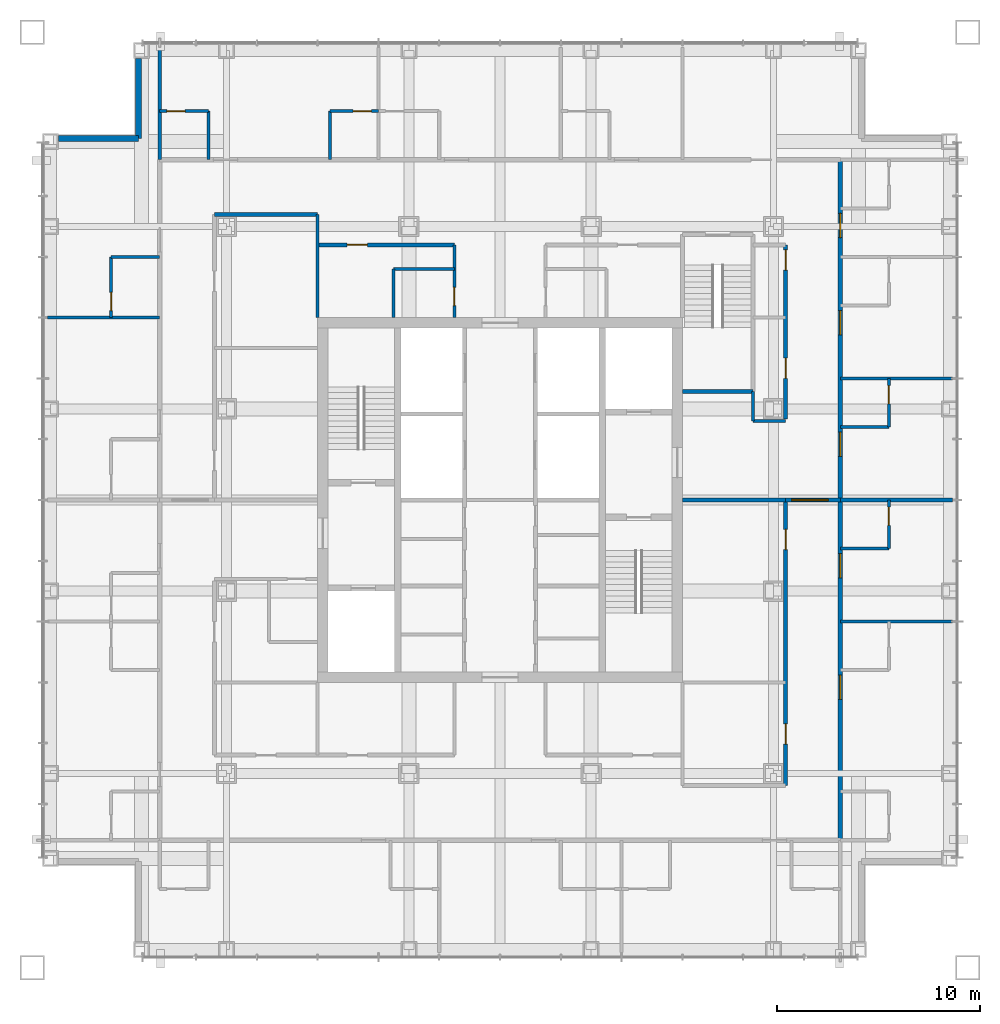
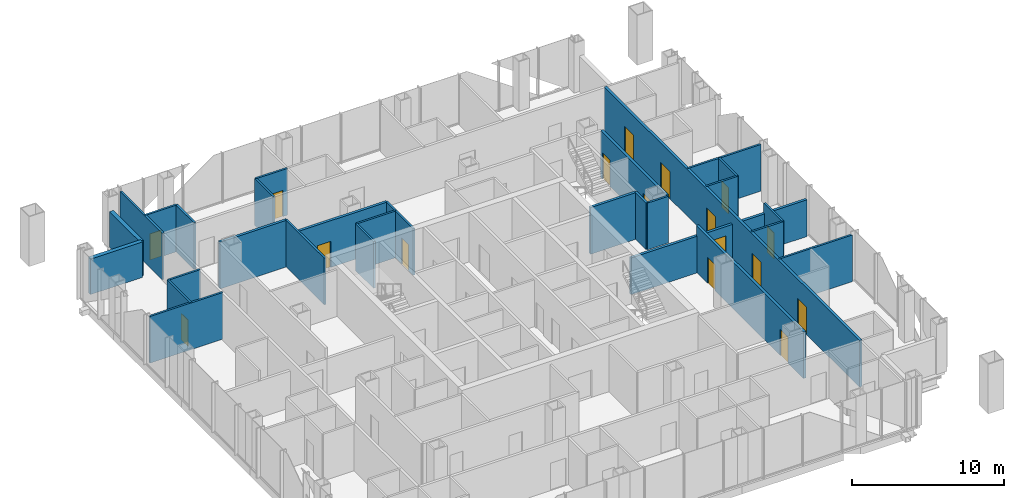
# One storey, part 9 of 15: 31 walls, 17 doors, 17 openings.
"""IFC4 building model written with IfcOpenShell, lengths in metres."""

import ifcopenshell
import ifcopenshell.guid

model = None  # the IFC model being written
_history = None  # IfcOwnerHistory: only IFC2X3 demands one
_inside = {}  # id of a spatial element -> (the spatial element, [elements in it])
_under = {}  # id of a project, library or spatial element -> (it, [spatial elements below it])
_declared = {}  # id of a project -> (the project, [libraries it declares])
_typed = {}  # id of a type object -> (the type object, [elements of that type])
_made_of = {}  # id of a material, layer set ... -> (it, [elements and type objects made of it])


def new_model(schema):
    """Start an empty IFC model of exactly this schema.

    Asked for "IFC4X3", IfcOpenShell would pick the latest addendum, in which some entities
    have other attributes; the version numbers below select the first issue.
    IFC2X3 requires an IfcOwnerHistory on every rooted entity: one is made here for all.
    """
    global model, _history
    if schema == "IFC4X3":
        model = ifcopenshell.file(schema_version=(4, 3, 0, 0))
    else:
        model = ifcopenshell.file(schema=schema)
    _inside.clear()
    _under.clear()
    _declared.clear()
    _typed.clear()
    _made_of.clear()
    _history = None
    if model.schema == "IFC2X3":
        org = make("IfcOrganization", Name="unknown")
        user = make(
            "IfcPersonAndOrganization",
            ThePerson=make("IfcPerson", FamilyName="unknown"),
            TheOrganization=org,
        )
        app = make(
            "IfcApplication",
            ApplicationDeveloper=org,
            Version="unknown",
            ApplicationFullName="unknown",
            ApplicationIdentifier="unknown",
        )
        _history = make(
            "IfcOwnerHistory",
            OwningUser=user,
            OwningApplication=app,
            ChangeAction="ADDED",
            CreationDate=0,
        )
    return model


def make(cls, **values):
    """One entity of the class cls with the attributes given. An attribute that is None is left unset."""
    return model.create_entity(
        cls, **{name: value for name, value in values.items() if value is not None}
    )


def rooted(cls, **values):
    """An entity with a GlobalId (a new one), such as an element, a storey or a relation."""
    return make(cls, GlobalId=ifcopenshell.guid.new(), OwnerHistory=_history, **values)


def si_unit(unit_type, name, prefix=None):
    """IfcSIUnit, for example si_unit("LENGTHUNIT", "METRE", prefix="MILLI")."""
    return make("IfcSIUnit", UnitType=unit_type, Prefix=prefix, Name=name)


def assignment(units):
    """IfcUnitAssignment: the units of a project."""
    return None if units is None else make("IfcUnitAssignment", Units=units)


def point(xyz):
    """IfcCartesianPoint."""
    return None if xyz is None else make("IfcCartesianPoint", Coordinates=xyz)


def direction(xyz):
    """IfcDirection."""
    return None if xyz is None else make("IfcDirection", DirectionRatios=xyz)


def frame(location, z_axis=None, x_axis=None):
    """IfcAxis2Placement3D, a coordinate frame: its origin and axes. An axis left out is left unset."""
    return make(
        "IfcAxis2Placement3D",
        Location=point(location),
        Axis=direction(z_axis),
        RefDirection=direction(x_axis),
    )


def frame_2d(location, x_axis=None):
    """IfcAxis2Placement2D, a coordinate frame in the plane: its origin and x axis."""
    return make(
        "IfcAxis2Placement2D", Location=point(location), RefDirection=direction(x_axis)
    )


def origin():
    """The frame at (0, 0, 0) with its axes left unset."""
    return frame((0.0, 0.0, 0.0))


def place(relative_to, where):
    """IfcLocalPlacement: puts the frame where relative to a parent placement (None: the world)."""
    return make(
        "IfcLocalPlacement", PlacementRelTo=relative_to, RelativePlacement=where
    )


def context(
    kind, dimensions, precision=None, world=None, true_north=None, identifier=None
):
    """IfcGeometricRepresentationContext, for example the 3D "Model" context."""
    return make(
        "IfcGeometricRepresentationContext",
        ContextIdentifier=identifier,
        ContextType=kind,
        CoordinateSpaceDimension=dimensions,
        Precision=precision,
        WorldCoordinateSystem=world,
        TrueNorth=true_north,
    )


def subcontext(parent, identifier, kind, view, scale=None):
    """IfcGeometricRepresentationSubContext, for example "Body" below "Model"."""
    return make(
        "IfcGeometricRepresentationSubContext",
        ContextIdentifier=identifier,
        ContextType=kind,
        ParentContext=parent,
        TargetScale=scale,
        TargetView=view,
    )


def project(units=None, contexts=None):
    """IfcProject with its units and contexts."""
    return rooted(
        "IfcProject",
        Name="project",
        RepresentationContexts=contexts,
        UnitsInContext=assignment(units),
    )


def spatial(cls, under=None, at=None, **own):
    """A site, building, storey or space (cls), placed at a placement, below another one or the project."""
    s = rooted(cls, ObjectPlacement=at, **own)
    if under is not None:
        _under.setdefault(under.id(), (under, []))[1].append(s)
    return s


def profile(cls, at=None, kind="AREA", **sizes):
    """A parametric profile (cls). Its sizes go by their IFC names, for example OverallWidth=200.0."""
    return make(cls, ProfileType=kind, Position=at, **sizes)


def rectangle(**sizes):
    """IfcRectangleProfileDef."""
    return profile("IfcRectangleProfileDef", **sizes)


def extrude(swept, where, along, depth):
    """IfcExtrudedAreaSolid: the profile swept, set in the frame where, extruded along a direction by depth."""
    return make(
        "IfcExtrudedAreaSolid",
        SweptArea=swept,
        Position=where,
        ExtrudedDirection=direction(along),
        Depth=depth,
    )


def shape(context_of_items, identifier, shape_type, items):
    """IfcShapeRepresentation: the items that make up one representation, for example the "Body"."""
    return make(
        "IfcShapeRepresentation",
        ContextOfItems=context_of_items,
        RepresentationIdentifier=identifier,
        RepresentationType=shape_type,
        Items=items,
    )


def material(Name=None, Category=None):
    """IfcMaterial."""
    return make("IfcMaterial", Name=Name, Category=Category)


def layer(
    of_material, thickness, ventilated=None, Name=None, Category=None, Priority=None
):
    """IfcMaterialLayer: one layer of a wall or slab, of a material (None: an air gap)."""
    return make(
        "IfcMaterialLayer",
        Material=of_material,
        LayerThickness=thickness,
        IsVentilated=ventilated,
        Name=Name,
        Category=Category,
        Priority=Priority,
    )


def layer_set(layers, Name=None):
    """IfcMaterialLayerSet."""
    return make("IfcMaterialLayerSet", MaterialLayers=layers, LayerSetName=Name)


def made_of(thing, what):
    """Note that an element or type object is made of a material, layer set ...; save() writes the relation."""
    if what is not None:
        _made_of.setdefault(what.id(), (what, []))[1].append(thing)
    return thing


def type_object(cls, material=None, **own):
    """A type object (cls), such as IfcWallType, which elements share."""
    return made_of(rooted(cls, **own), material)


def element(
    cls,
    number,
    at=None,
    inside=None,
    cuts=None,
    type_object=None,
    material=None,
    context=None,
    identifier="Body",
    shape_type=None,
    held_by="IfcProductDefinitionShape",
    body=None,
    shapes=None,
    **own,
):
    """One element of the class cls, such as IfcWall. Its Tag is "e" and its number.

    at: its placement. inside: the storey or other place that contains it. cuts: it is an
    opening in that element (IfcRelVoidsElement). A single representation is given by context,
    identifier, shape_type and body (its items); several are given by shapes. held_by: the class
    of the entity that holds the representations. save() writes the other relations.
    """
    e = rooted(cls, Tag="e%d" % number, ObjectPlacement=at, **own)
    if body is not None:
        shapes = [shape(context, identifier, shape_type, body)]
    if shapes is not None:
        e.Representation = make(held_by, Representations=shapes)
    if inside is not None:
        _inside.setdefault(inside.id(), (inside, []))[1].append(e)
    if cuts is not None:
        rooted(
            "IfcRelVoidsElement", RelatingBuildingElement=cuts, RelatedOpeningElement=e
        )
    if type_object is not None:
        _typed.setdefault(type_object.id(), (type_object, []))[1].append(e)
    return made_of(e, material)


def fill(opening, filler):
    """IfcRelFillsElement: the door or window that sits in an opening."""
    return rooted(
        "IfcRelFillsElement",
        RelatingOpeningElement=opening,
        RelatedBuildingElement=filler,
    )


def aggregate(whole, parts):
    """IfcRelAggregates: a whole, such as a stair, and the parts it consists of."""
    return rooted("IfcRelAggregates", RelatingObject=whole, RelatedObjects=parts)


def save(model, path):
    """Write the relations noted so far, then the file.

    IfcRelAggregates (storeys below a building ...), IfcRelContainedInSpatialStructure (elements
    in a storey), IfcRelDefinesByType, IfcRelAssociatesMaterial and IfcRelDeclares: one each for
    every whole, place, type object, material and project.
    """
    for whole, parts in _under.values():
        aggregate(whole, parts)
    for where, things in _inside.values():
        rooted(
            "IfcRelContainedInSpatialStructure",
            RelatedElements=things,
            RelatingStructure=where,
        )
    for kind, things in _typed.values():
        rooted("IfcRelDefinesByType", RelatedObjects=things, RelatingType=kind)
    for what, things in _made_of.values():
        rooted("IfcRelAssociatesMaterial", RelatedObjects=things, RelatingMaterial=what)
    for by, libraries in _declared.values():
        rooted("IfcRelDeclares", RelatingContext=by, RelatedDefinitions=libraries)
    model.write(path)


model = new_model("IFC4")

# Units and contexts
model_context = context("Model", 3, precision=1e-05, world=origin(), true_north=direction((0.0, 1.0)))
body_context = subcontext(model_context, "Body", "Model", "MODEL_VIEW")
ifc_project = project(units=[si_unit("LENGTHUNIT", "METRE"), si_unit("AREAUNIT", "SQUARE_METRE"), si_unit("VOLUMEUNIT", "CUBIC_METRE"), si_unit("PLANEANGLEUNIT", "RADIAN"), si_unit("MASSUNIT", "GRAM", prefix="KILO")], contexts=[model_context])

# Site, building, storey
site_placement = place(None, origin())
site = spatial("IfcSite", under=ifc_project, at=site_placement, CompositionType="ELEMENT")
building_placement = place(site_placement, origin())
building = spatial("IfcBuilding", under=site, at=building_placement, Name="Malebo Sky Hospital", CompositionType="ELEMENT")
storey_placement = place(building_placement, frame((0.0, 0.0, 181.0)))
storey = spatial("IfcBuildingStorey", under=building, at=storey_placement, Name="L43", CompositionType="ELEMENT", Elevation=181.0)

# Wall
ifc_material_1 = material(Name="Gypsum board on steel studs", Category="steel")
ifc_layer_1 = layer(ifc_material_1, 0.199951171875)
ifc_layer_set_1 = layer_set([ifc_layer_1], Name="CORRIDOR WALL 200")
wall_type_1 = type_object("IfcWallType", Name="CORRIDOR WALL 200", PredefinedType="PARTITIONING", material=ifc_layer_set_1)
wall_1_placement = place(storey_placement, frame((45.89990234375, 76.10009765625, 0.0), z_axis=(0.0, 0.0, 1.0), x_axis=(1.0, 0.0, 0.0)))
element("IfcWall", 1, at=wall_1_placement, inside=storey, type_object=wall_type_1, Name="Corridor Wall 200 NCIK", PredefinedType="PARTITIONING", context=body_context, shape_type="SweptSolid", body=[
    extrude(rectangle(XDim=5.10009765625, YDim=0.199951171875, at=frame_2d((2.550048828125, 0.0))), origin(), (0.0, 0.0, 1.0), 3.75),
])

# Wall, opening, door
wall_2_placement = place(storey_placement, frame((51.0, 74.60009765625, 0.0), z_axis=(0.0, 0.0, 1.0), x_axis=(1.0, 0.0, 0.0)))
wall_2 = element("IfcWall", 2, at=wall_2_placement, inside=storey, type_object=wall_type_1, Name="Corridor Wall 200 NCI1", PredefinedType="PARTITIONING", context=body_context, shape_type="SweptSolid", body=[
    extrude(rectangle(XDim=6.75, YDim=0.199951171875, at=frame_2d((3.375, 0.0))), origin(), (0.0, 0.0, 1.0), 3.75),
])
opening_1_placement = place(wall_2_placement, frame((1.449951171875, 0.0, 0.0)))
opening_1 = element("IfcOpeningElement", 3, at=opening_1_placement, cuts=wall_2, Name="Opening D03", PredefinedType="OPENING", context=body_context, shape_type="SweptSolid", body=[
    extrude(rectangle(XDim=1.0, YDim=2.10009765625, at=frame_2d((0.5, 1.050048828125))), frame((0.0, 0.10986328125, 0.0), z_axis=(0.0, -1.0, 0.0), x_axis=(1.0, 0.0, 0.0)), (0.0, 0.0, 1.0), 0.219970703125),
])
ifc_material_2 = material(Name="Hardwood-faced door leaf in steel frame", Category="steel")
door_type_1 = type_object("IfcDoorType", Name="ROOM DOOR 1000", OperationType="SINGLE_SWING_LEFT", PredefinedType="DOOR", material=ifc_material_2)
door_1_placement = place(opening_1_placement, origin())
door_1 = element("IfcDoor", 4, at=door_1_placement, inside=storey, type_object=door_type_1, Name="Clean utility room door", OperationType="SINGLE_SWING_LEFT", OverallHeight=2.10009765625, OverallWidth=1.0, PredefinedType="DOOR", context=body_context, shape_type="SweptSolid", body=[
    extrude(rectangle(XDim=1.0, YDim=2.10009765625, at=frame_2d((0.5, 1.050048828125))), frame((0.0, 0.02490234375, 0.0), z_axis=(0.0, -1.0, 0.0), x_axis=(1.0, 0.0, 0.0)), (0.0, 0.0, 1.0), 0.050048828125),
])
fill(opening_1, door_1)

# Wall, openings, doors
wall_3_placement = place(storey_placement, frame((76.800048828125, 78.800048828125, 0.0), z_axis=(0.0, 0.0, 1.0), x_axis=(0.0, -1.0, 0.0)))
wall_3 = element("IfcWall", 5, at=wall_3_placement, inside=storey, type_object=wall_type_1, Name="Corridor Wall 200 ECO", PredefinedType="PARTITIONING", context=body_context, shape_type="SweptSolid", body=[
    extrude(rectangle(XDim=33.60009765625, YDim=0.199951171875, at=frame_2d((16.800048828125, 0.0))), origin(), (0.0, 0.0, 1.0), 3.75),
])
opening_2_placement = place(wall_3_placement, frame((2.64990234375, 0.0, 0.0)))
opening_2 = element("IfcOpeningElement", 6, at=opening_2_placement, cuts=wall_3, Name="Opening D01", PredefinedType="OPENING", context=body_context, shape_type="SweptSolid", body=[
    extrude(rectangle(XDim=1.199951171875, YDim=2.199951171875, at=frame_2d((0.60009765625, 1.10009765625))), frame((0.0, 0.10986328125, 0.0), z_axis=(0.0, -1.0, 0.0), x_axis=(1.0, 0.0, 0.0)), (0.0, 0.0, 1.0), 0.219970703125),
])
opening_3_placement = place(wall_3_placement, frame((7.449951171875, 0.0, 0.0)))
opening_3 = element("IfcOpeningElement", 7, at=opening_3_placement, cuts=wall_3, Name="Opening D01", PredefinedType="OPENING", context=body_context, shape_type="SweptSolid", body=[
    extrude(rectangle(XDim=1.199951171875, YDim=2.199951171875, at=frame_2d((0.60009765625, 1.10009765625))), frame((0.0, 0.10986328125, 0.0), z_axis=(0.0, -1.0, 0.0), x_axis=(1.0, 0.0, 0.0)), (0.0, 0.0, 1.0), 0.219970703125),
])
opening_4_placement = place(wall_3_placement, frame((13.449951171875, 0.0, 0.0)))
opening_4 = element("IfcOpeningElement", 8, at=opening_4_placement, cuts=wall_3, Name="Opening D01", PredefinedType="OPENING", context=body_context, shape_type="SweptSolid", body=[
    extrude(rectangle(XDim=1.199951171875, YDim=2.199951171875, at=frame_2d((0.60009765625, 1.10009765625))), frame((0.0, 0.10986328125, 0.0), z_axis=(0.0, -1.0, 0.0), x_axis=(1.0, 0.0, 0.0)), (0.0, 0.0, 1.0), 0.219970703125),
])
opening_5_placement = place(wall_3_placement, frame((19.449951171875, 0.0, 0.0)))
opening_5 = element("IfcOpeningElement", 9, at=opening_5_placement, cuts=wall_3, Name="Opening D01", PredefinedType="OPENING", context=body_context, shape_type="SweptSolid", body=[
    extrude(rectangle(XDim=1.199951171875, YDim=2.199951171875, at=frame_2d((0.60009765625, 1.10009765625))), frame((0.0, 0.10986328125, 0.0), z_axis=(0.0, -1.0, 0.0), x_axis=(1.0, 0.0, 0.0)), (0.0, 0.0, 1.0), 0.219970703125),
])
opening_6_placement = place(wall_3_placement, frame((25.449951171875, 0.0, 0.0)))
opening_6 = element("IfcOpeningElement", 10, at=opening_6_placement, cuts=wall_3, Name="Opening D01", PredefinedType="OPENING", context=body_context, shape_type="SweptSolid", body=[
    extrude(rectangle(XDim=1.199951171875, YDim=2.199951171875, at=frame_2d((0.60009765625, 1.10009765625))), frame((0.0, 0.10986328125, 0.0), z_axis=(0.0, -1.0, 0.0), x_axis=(1.0, 0.0, 0.0)), (0.0, 0.0, 1.0), 0.219970703125),
])
door_type_2 = type_object("IfcDoorType", Name="BED DOOR 1200", OperationType="SINGLE_SWING_LEFT", PredefinedType="DOOR", material=ifc_material_2)
door_2_placement = place(opening_2_placement, origin())
door_2 = element("IfcDoor", 11, at=door_2_placement, inside=storey, type_object=door_type_2, Name="Single bed room door", OperationType="SINGLE_SWING_LEFT", OverallHeight=2.199951171875, OverallWidth=1.199951171875, PredefinedType="DOOR", context=body_context, shape_type="SweptSolid", body=[
    extrude(rectangle(XDim=1.199951171875, YDim=2.199951171875, at=frame_2d((0.60009765625, 1.10009765625))), frame((0.0, 0.02490234375, 0.0), z_axis=(0.0, -1.0, 0.0), x_axis=(1.0, 0.0, 0.0)), (0.0, 0.0, 1.0), 0.050048828125),
])
fill(opening_2, door_2)
door_3_placement = place(opening_3_placement, origin())
door_3 = element("IfcDoor", 12, at=door_3_placement, inside=storey, type_object=door_type_2, Name="Single bed room door", OperationType="SINGLE_SWING_LEFT", OverallHeight=2.199951171875, OverallWidth=1.199951171875, PredefinedType="DOOR", context=body_context, shape_type="SweptSolid", body=[
    extrude(rectangle(XDim=1.199951171875, YDim=2.199951171875, at=frame_2d((0.60009765625, 1.10009765625))), frame((0.0, 0.02490234375, 0.0), z_axis=(0.0, -1.0, 0.0), x_axis=(1.0, 0.0, 0.0)), (0.0, 0.0, 1.0), 0.050048828125),
])
fill(opening_3, door_3)
door_4_placement = place(opening_4_placement, origin())
door_4 = element("IfcDoor", 13, at=door_4_placement, inside=storey, type_object=door_type_2, Name="Single bed room door", OperationType="SINGLE_SWING_LEFT", OverallHeight=2.199951171875, OverallWidth=1.199951171875, PredefinedType="DOOR", context=body_context, shape_type="SweptSolid", body=[
    extrude(rectangle(XDim=1.199951171875, YDim=2.199951171875, at=frame_2d((0.60009765625, 1.10009765625))), frame((0.0, 0.02490234375, 0.0), z_axis=(0.0, -1.0, 0.0), x_axis=(1.0, 0.0, 0.0)), (0.0, 0.0, 1.0), 0.050048828125),
])
fill(opening_4, door_4)
door_5_placement = place(opening_5_placement, origin())
door_5 = element("IfcDoor", 14, at=door_5_placement, inside=storey, type_object=door_type_2, Name="Single bed room door", OperationType="SINGLE_SWING_LEFT", OverallHeight=2.199951171875, OverallWidth=1.199951171875, PredefinedType="DOOR", context=body_context, shape_type="SweptSolid", body=[
    extrude(rectangle(XDim=1.199951171875, YDim=2.199951171875, at=frame_2d((0.60009765625, 1.10009765625))), frame((0.0, 0.02490234375, 0.0), z_axis=(0.0, -1.0, 0.0), x_axis=(1.0, 0.0, 0.0)), (0.0, 0.0, 1.0), 0.050048828125),
])
fill(opening_5, door_5)
door_6_placement = place(opening_6_placement, origin())
door_6 = element("IfcDoor", 15, at=door_6_placement, inside=storey, type_object=door_type_2, Name="Four-bed bay door", OperationType="SINGLE_SWING_LEFT", OverallHeight=2.199951171875, OverallWidth=1.199951171875, PredefinedType="DOOR", context=body_context, shape_type="SweptSolid", body=[
    extrude(rectangle(XDim=1.199951171875, YDim=2.199951171875, at=frame_2d((0.60009765625, 1.10009765625))), frame((0.0, 0.02490234375, 0.0), z_axis=(0.0, -1.0, 0.0), x_axis=(1.0, 0.0, 0.0)), (0.0, 0.0, 1.0), 0.050048828125),
])
fill(opening_6, door_6)

wall_4_placement = place(storey_placement, frame((74.10009765625, 74.60009765625, 0.0), z_axis=(0.0, 0.0, 1.0), x_axis=(0.0, -1.0, 0.0)))
wall_4 = element("IfcWall", 16, at=wall_4_placement, inside=storey, type_object=wall_type_1, Name="Corridor Wall 200 ECI1", PredefinedType="PARTITIONING", context=body_context, shape_type="SweptSolid", body=[
    extrude(rectangle(XDim=8.60009765625, YDim=0.199951171875, at=frame_2d((4.300048828125, 0.0))), origin(), (0.0, 0.0, 1.0), 3.75),
])
opening_7_placement = place(wall_4_placement, frame((0.25, 0.0, 0.0)))
opening_7 = element("IfcOpeningElement", 17, at=opening_7_placement, cuts=wall_4, Name="Opening D03", PredefinedType="OPENING", context=body_context, shape_type="SweptSolid", body=[
    extrude(rectangle(XDim=1.0, YDim=2.10009765625, at=frame_2d((0.5, 1.050048828125))), frame((0.0, 0.10986328125, 0.0), z_axis=(0.0, -1.0, 0.0), x_axis=(1.0, 0.0, 0.0)), (0.0, 0.0, 1.0), 0.219970703125),
])
opening_8_placement = place(wall_4_placement, frame((5.60009765625, 0.0, 0.0)))
opening_8 = element("IfcOpeningElement", 18, at=opening_8_placement, cuts=wall_4, Name="Opening D03", PredefinedType="OPENING", context=body_context, shape_type="SweptSolid", body=[
    extrude(rectangle(XDim=1.0, YDim=2.10009765625, at=frame_2d((0.5, 1.050048828125))), frame((0.0, 0.10986328125, 0.0), z_axis=(0.0, -1.0, 0.0), x_axis=(1.0, 0.0, 0.0)), (0.0, 0.0, 1.0), 0.219970703125),
])
door_7_placement = place(opening_7_placement, origin())
door_7 = element("IfcDoor", 19, at=door_7_placement, inside=storey, type_object=door_type_1, Name="Ward pantry door", OperationType="SINGLE_SWING_LEFT", OverallHeight=2.10009765625, OverallWidth=1.0, PredefinedType="DOOR", context=body_context, shape_type="SweptSolid", body=[
    extrude(rectangle(XDim=1.0, YDim=2.10009765625, at=frame_2d((0.5, 1.050048828125))), frame((0.0, 0.02490234375, 0.0), z_axis=(0.0, -1.0, 0.0), x_axis=(1.0, 0.0, 0.0)), (0.0, 0.0, 1.0), 0.050048828125),
])
fill(opening_7, door_7)
door_8_placement = place(opening_8_placement, origin())
door_8 = element("IfcDoor", 20, at=door_8_placement, inside=storey, type_object=door_type_1, Name="Equipment store door", OperationType="SINGLE_SWING_LEFT", OverallHeight=2.10009765625, OverallWidth=1.0, PredefinedType="DOOR", context=body_context, shape_type="SweptSolid", body=[
    extrude(rectangle(XDim=1.0, YDim=2.10009765625, at=frame_2d((0.5, 1.050048828125))), frame((0.0, 0.02490234375, 0.0), z_axis=(0.0, -1.0, 0.0), x_axis=(1.0, 0.0, 0.0)), (0.0, 0.0, 1.0), 0.050048828125),
])
fill(opening_8, door_8)

wall_5_placement = place(storey_placement, frame((74.10009765625, 62.0, 0.0), z_axis=(0.0, 0.0, 1.0), x_axis=(0.0, -1.0, 0.0)))
wall_5 = element("IfcWall", 21, at=wall_5_placement, inside=storey, type_object=wall_type_1, Name="Corridor Wall 200 ECI2", PredefinedType="PARTITIONING", context=body_context, shape_type="SweptSolid", body=[
    extrude(rectangle(XDim=14.10009765625, YDim=0.199951171875, at=frame_2d((7.050048828125, 0.0))), origin(), (0.0, 0.0, 1.0), 3.75),
])
opening_9_placement = place(wall_5_placement, frame((1.449951171875, 0.0, 0.0)))
opening_9 = element("IfcOpeningElement", 22, at=opening_9_placement, cuts=wall_5, Name="Opening D03", PredefinedType="OPENING", context=body_context, shape_type="SweptSolid", body=[
    extrude(rectangle(XDim=1.0, YDim=2.10009765625, at=frame_2d((0.5, 1.050048828125))), frame((0.0, 0.10986328125, 0.0), z_axis=(0.0, -1.0, 0.0), x_axis=(1.0, 0.0, 0.0)), (0.0, 0.0, 1.0), 0.219970703125),
])
opening_10_placement = place(wall_5_placement, frame((11.050048828125, 0.0, 0.0)))
opening_10 = element("IfcOpeningElement", 23, at=opening_10_placement, cuts=wall_5, Name="Opening D03", PredefinedType="OPENING", context=body_context, shape_type="SweptSolid", body=[
    extrude(rectangle(XDim=1.0, YDim=2.10009765625, at=frame_2d((0.5, 1.050048828125))), frame((0.0, 0.10986328125, 0.0), z_axis=(0.0, -1.0, 0.0), x_axis=(1.0, 0.0, 0.0)), (0.0, 0.0, 1.0), 0.219970703125),
])
door_9_placement = place(opening_9_placement, origin())
door_9 = element("IfcDoor", 24, at=door_9_placement, inside=storey, type_object=door_type_1, Name="Nurse station door", OperationType="SINGLE_SWING_LEFT", OverallHeight=2.10009765625, OverallWidth=1.0, PredefinedType="DOOR", context=body_context, shape_type="SweptSolid", body=[
    extrude(rectangle(XDim=1.0, YDim=2.10009765625, at=frame_2d((0.5, 1.050048828125))), frame((0.0, 0.02490234375, 0.0), z_axis=(0.0, -1.0, 0.0), x_axis=(1.0, 0.0, 0.0)), (0.0, 0.0, 1.0), 0.050048828125),
])
fill(opening_9, door_9)
door_10_placement = place(opening_10_placement, origin())
door_10 = element("IfcDoor", 25, at=door_10_placement, inside=storey, type_object=door_type_1, Name="Ward office door", OperationType="SINGLE_SWING_RIGHT", OverallHeight=2.10009765625, OverallWidth=1.0, PredefinedType="DOOR", context=body_context, shape_type="SweptSolid", body=[
    extrude(rectangle(XDim=1.0, YDim=2.10009765625, at=frame_2d((0.5, 1.050048828125))), frame((0.0, 0.02490234375, 0.0), z_axis=(0.0, -1.0, 0.0), x_axis=(1.0, 0.0, 0.0)), (0.0, 0.0, 1.0), 0.050048828125),
])
fill(opening_10, door_10)

# Walls
ifc_material_3 = material(Name="Anodised aluminium rainscreen on steel framing", Category="steel")
ifc_layer_2 = layer(ifc_material_3, 0.300048828125)
ifc_layer_set_2 = layer_set([ifc_layer_2], Name="NOTCH RAINSCREEN WALL 300")
wall_type_2 = type_object("IfcWallType", Name="NOTCH RAINSCREEN WALL 300", PredefinedType="ELEMENTEDWALL", material=ifc_layer_set_2)
for number, where, z_axis, x_axis, name in (
    (26, (38.199951171875, 79.85009765625, 0.0), (0.0, 0.0, 1.0), (1.0, 0.0, 0.0), "Notch rainscreen wall W1 L43"),
    (27, (42.14990234375, 79.85009765625, 0.0), (0.0, 0.0, 1.0), (0.0, 1.0, 0.0), "Notch rainscreen wall W2 L43"),
):
    element("IfcWall", number, at=place(storey_placement, frame(where, z_axis=z_axis, x_axis=x_axis)), inside=storey, type_object=wall_type_2, Name=name, PredefinedType="ELEMENTEDWALL", context=body_context, shape_type="SweptSolid", body=[
        extrude(rectangle(XDim=3.949951171875, YDim=0.300048828125, at=frame_2d((1.97509765625, 0.0))), origin(), (0.0, 0.0, 1.0), 2.85009765625),
    ])
ifc_layer_3 = layer(ifc_material_1, 0.14990234375)
ifc_layer_set_3 = layer_set([ifc_layer_3], Name="PARTITION 150")
wall_type_3 = type_object("IfcWallType", Name="PARTITION 150", PredefinedType="PARTITIONING", material=ifc_layer_set_3)
wall_6_placement = place(storey_placement, frame((43.199951171875, 78.800048828125, 0.0), z_axis=(0.0, 0.0, 1.0), x_axis=(0.0, 1.0, 0.0)))
element("IfcWall", 28, at=wall_6_placement, inside=storey, type_object=wall_type_3, Name="Partition 150 NP0", PredefinedType="PARTITIONING", context=body_context, shape_type="SweptSolid", body=[
    extrude(rectangle(XDim=5.550048828125, YDim=0.14990234375, at=frame_2d((2.77490234375, 0.0))), origin(), (0.0, 0.0, 1.0), 3.75),
])

# Wall, opening, door
wall_7_placement = place(storey_placement, frame((43.199951171875, 81.199951171875, 0.0), z_axis=(0.0, 0.0, 1.0), x_axis=(1.0, 0.0, 0.0)))
wall_7 = element("IfcWall", 29, at=wall_7_placement, inside=storey, type_object=wall_type_3, Name="Partition 150 NE0F", PredefinedType="PARTITIONING", context=body_context, shape_type="SweptSolid", body=[
    extrude(rectangle(XDim=2.400146484375, YDim=0.14990234375, at=frame_2d((1.2001953125, 0.0))), origin(), (0.0, 0.0, 1.0), 3.75),
])
opening_11_placement = place(wall_7_placement, frame((0.35009765625, 0.0, 0.0)))
opening_11 = element("IfcOpeningElement", 30, at=opening_11_placement, cuts=wall_7, Name="Opening D02", PredefinedType="OPENING", context=body_context, shape_type="SweptSolid", body=[
    extrude(rectangle(XDim=0.89990234375, YDim=2.10009765625, at=frame_2d((0.449951171875, 1.050048828125))), frame((0.0, 0.0849609375, 0.0), z_axis=(0.0, -1.0, 0.0), x_axis=(1.0, 0.0, 0.0)), (0.0, 0.0, 1.0), 0.169921875),
])
door_type_3 = type_object("IfcDoorType", Name="EN-SUITE DOOR 900", OperationType="SINGLE_SWING_LEFT", PredefinedType="DOOR", material=ifc_material_2)
door_11_placement = place(opening_11_placement, origin())
door_11 = element("IfcDoor", 31, at=door_11_placement, inside=storey, type_object=door_type_3, Name="En-suite door", OperationType="SINGLE_SWING_LEFT", OverallHeight=2.10009765625, OverallWidth=0.89990234375, PredefinedType="DOOR", context=body_context, shape_type="SweptSolid", body=[
    extrude(rectangle(XDim=0.89990234375, YDim=2.10009765625, at=frame_2d((0.449951171875, 1.050048828125))), frame((0.0, 0.02490234375, 0.0), z_axis=(0.0, -1.0, 0.0), x_axis=(1.0, 0.0, 0.0)), (0.0, 0.0, 1.0), 0.050048828125),
])
fill(opening_11, door_11)

# Wall
wall_8_placement = place(storey_placement, frame((45.60009765625, 78.800048828125, 0.0), z_axis=(0.0, 0.0, 1.0), x_axis=(0.0, 1.0, 0.0)))
element("IfcWall", 32, at=wall_8_placement, inside=storey, type_object=wall_type_3, Name="Partition 150 NE0S", PredefinedType="PARTITIONING", context=body_context, shape_type="SweptSolid", body=[
    extrude(rectangle(XDim=2.39990234375, YDim=0.14990234375, at=frame_2d((1.199951171875, 0.0))), origin(), (0.0, 0.0, 1.0), 3.75),
])

# Wall, opening, door
wall_9_placement = place(storey_placement, frame((51.60009765625, 81.199951171875, 0.0), z_axis=(0.0, 0.0, 1.0), x_axis=(1.0, 0.0, 0.0)))
wall_9 = element("IfcWall", 33, at=wall_9_placement, inside=storey, type_object=wall_type_3, Name="Partition 150 NG0F", PredefinedType="PARTITIONING", context=body_context, shape_type="SweptSolid", body=[
    extrude(rectangle(XDim=2.39990234375, YDim=0.14990234375, at=frame_2d((1.199951171875, 0.0))), origin(), (0.0, 0.0, 1.0), 3.75),
])
opening_12_placement = place(wall_9_placement, frame((1.14990234375, 0.0, 0.0)))
opening_12 = element("IfcOpeningElement", 34, at=opening_12_placement, cuts=wall_9, Name="Opening D02", PredefinedType="OPENING", context=body_context, shape_type="SweptSolid", body=[
    extrude(rectangle(XDim=0.89990234375, YDim=2.10009765625, at=frame_2d((0.449951171875, 1.050048828125))), frame((0.0, 0.0849609375, 0.0), z_axis=(0.0, -1.0, 0.0), x_axis=(1.0, 0.0, 0.0)), (0.0, 0.0, 1.0), 0.169921875),
])
door_12_placement = place(opening_12_placement, origin())
door_12 = element("IfcDoor", 35, at=door_12_placement, inside=storey, type_object=door_type_3, Name="En-suite door", OperationType="SINGLE_SWING_RIGHT", OverallHeight=2.10009765625, OverallWidth=0.89990234375, PredefinedType="DOOR", context=body_context, shape_type="SweptSolid", body=[
    extrude(rectangle(XDim=0.89990234375, YDim=2.10009765625, at=frame_2d((0.449951171875, 1.050048828125))), frame((0.0, 0.02490234375, 0.0), z_axis=(0.0, -1.0, 0.0), x_axis=(1.0, 0.0, 0.0)), (0.0, 0.0, 1.0), 0.050048828125),
])
fill(opening_12, door_12)

# Walls
wall_10_placement = place(storey_placement, frame((51.60009765625, 78.800048828125, 0.0), z_axis=(0.0, 0.0, 1.0), x_axis=(0.0, 1.0, 0.0)))
element("IfcWall", 36, at=wall_10_placement, inside=storey, type_object=wall_type_3, Name="Partition 150 NG0S", PredefinedType="PARTITIONING", context=body_context, shape_type="SweptSolid", body=[
    extrude(rectangle(XDim=2.39990234375, YDim=0.14990234375, at=frame_2d((1.199951171875, 0.0))), origin(), (0.0, 0.0, 1.0), 3.75),
])
wall_11_placement = place(storey_placement, frame((51.0, 71.0, 0.0), z_axis=(0.0, 0.0, 1.0), x_axis=(0.0, 1.0, 0.0)))
element("IfcWall", 37, at=wall_11_placement, inside=storey, type_object=wall_type_3, Name="Partition 150 NSP0", PredefinedType="PARTITIONING", context=body_context, shape_type="SweptSolid", body=[
    extrude(rectangle(XDim=5.10009765625, YDim=0.14990234375, at=frame_2d((2.550048828125, 0.0))), origin(), (0.0, 0.0, 1.0), 3.75),
])

# Wall, opening, door
wall_12_placement = place(storey_placement, frame((57.75, 71.0, 0.0), z_axis=(0.0, 0.0, 1.0), x_axis=(0.0, 1.0, 0.0)))
wall_12 = element("IfcWall", 38, at=wall_12_placement, inside=storey, type_object=wall_type_3, Name="Partition 150 NSPA", PredefinedType="PARTITIONING", context=body_context, shape_type="SweptSolid", body=[
    extrude(rectangle(XDim=3.60009765625, YDim=0.14990234375, at=frame_2d((1.800048828125, 0.0))), origin(), (0.0, 0.0, 1.0), 3.75),
])
opening_13_placement = place(wall_12_placement, frame((0.60009765625, 0.0, 0.0)))
opening_13 = element("IfcOpeningElement", 39, at=opening_13_placement, cuts=wall_12, Name="Opening D04", PredefinedType="OPENING", context=body_context, shape_type="SweptSolid", body=[
    extrude(rectangle(XDim=0.89990234375, YDim=2.10009765625, at=frame_2d((0.449951171875, 1.050048828125))), frame((0.0, 0.0849609375, 0.0), z_axis=(0.0, -1.0, 0.0), x_axis=(1.0, 0.0, 0.0)), (0.0, 0.0, 1.0), 0.169921875),
])
door_type_4 = type_object("IfcDoorType", Name="ROOM DOOR 900", OperationType="SINGLE_SWING_LEFT", PredefinedType="DOOR", material=ifc_material_2)
door_13_placement = place(opening_13_placement, origin())
door_13 = element("IfcDoor", 40, at=door_13_placement, inside=storey, type_object=door_type_4, Name="Staff WC door", OperationType="SINGLE_SWING_LEFT", OverallHeight=2.10009765625, OverallWidth=0.89990234375, PredefinedType="DOOR", context=body_context, shape_type="SweptSolid", body=[
    extrude(rectangle(XDim=0.89990234375, YDim=2.10009765625, at=frame_2d((0.449951171875, 1.050048828125))), frame((0.0, 0.02490234375, 0.0), z_axis=(0.0, -1.0, 0.0), x_axis=(1.0, 0.0, 0.0)), (0.0, 0.0, 1.0), 0.050048828125),
])
fill(opening_13, door_13)

# Walls
wall_13_placement = place(storey_placement, frame((54.75, 73.39990234375, 0.0), z_axis=(0.0, 0.0, 1.0), x_axis=(1.0, 0.0, 0.0)))
element("IfcWall", 41, at=wall_13_placement, inside=storey, type_object=wall_type_3, Name="Partition 150 NSX0", PredefinedType="PARTITIONING", context=body_context, shape_type="SweptSolid", body=[
    extrude(rectangle(XDim=3.0, YDim=0.14990234375, at=frame_2d((1.5, 0.0))), origin(), (0.0, 0.0, 1.0), 3.75),
])
wall_14_placement = place(storey_placement, frame((54.75, 71.0, 0.0), z_axis=(0.0, 0.0, 1.0), x_axis=(0.0, 1.0, 0.0)))
element("IfcWall", 42, at=wall_14_placement, inside=storey, type_object=wall_type_3, Name="Partition 150 NSY0", PredefinedType="PARTITIONING", context=body_context, shape_type="SweptSolid", body=[
    extrude(rectangle(XDim=2.39990234375, YDim=0.14990234375, at=frame_2d((1.199951171875, 0.0))), origin(), (0.0, 0.0, 1.0), 3.75),
])
wall_15_placement = place(storey_placement, frame((43.199951171875, 71.0, 0.0), z_axis=(0.0, 0.0, 1.0), x_axis=(-1.0, 0.0, 0.0)))
element("IfcWall", 43, at=wall_15_placement, inside=storey, type_object=wall_type_3, Name="Partition 150 WP+9.0", PredefinedType="PARTITIONING", context=body_context, shape_type="SweptSolid", body=[
    extrude(rectangle(XDim=5.550048828125, YDim=0.14990234375, at=frame_2d((2.77490234375, 0.0))), origin(), (0.0, 0.0, 1.0), 3.75),
])

# Wall, opening, door
wall_16_placement = place(storey_placement, frame((40.800048828125, 71.0, 0.0), z_axis=(0.0, 0.0, 1.0), x_axis=(0.0, 1.0, 0.0)))
wall_16 = element("IfcWall", 44, at=wall_16_placement, inside=storey, type_object=wall_type_3, Name="Partition 150 WE3F", PredefinedType="PARTITIONING", context=body_context, shape_type="SweptSolid", body=[
    extrude(rectangle(XDim=3.0, YDim=0.14990234375, at=frame_2d((1.5, 0.0))), origin(), (0.0, 0.0, 1.0), 3.75),
])
opening_14_placement = place(wall_16_placement, frame((0.35009765625, 0.0, 0.0)))
opening_14 = element("IfcOpeningElement", 45, at=opening_14_placement, cuts=wall_16, Name="Opening D02", PredefinedType="OPENING", context=body_context, shape_type="SweptSolid", body=[
    extrude(rectangle(XDim=0.89990234375, YDim=2.10009765625, at=frame_2d((0.449951171875, 1.050048828125))), frame((0.0, 0.0849609375, 0.0), z_axis=(0.0, -1.0, 0.0), x_axis=(1.0, 0.0, 0.0)), (0.0, 0.0, 1.0), 0.169921875),
])
door_14_placement = place(opening_14_placement, origin())
door_14 = element("IfcDoor", 46, at=door_14_placement, inside=storey, type_object=door_type_3, Name="En-suite door", OperationType="SINGLE_SWING_LEFT", OverallHeight=2.10009765625, OverallWidth=0.89990234375, PredefinedType="DOOR", context=body_context, shape_type="SweptSolid", body=[
    extrude(rectangle(XDim=0.89990234375, YDim=2.10009765625, at=frame_2d((0.449951171875, 1.050048828125))), frame((0.0, 0.02490234375, 0.0), z_axis=(0.0, -1.0, 0.0), x_axis=(1.0, 0.0, 0.0)), (0.0, 0.0, 1.0), 0.050048828125),
])
fill(opening_14, door_14)

# Walls
wall_17_placement = place(storey_placement, frame((43.199951171875, 74.0, 0.0), z_axis=(0.0, 0.0, 1.0), x_axis=(-1.0, 0.0, 0.0)))
element("IfcWall", 47, at=wall_17_placement, inside=storey, type_object=wall_type_3, Name="Partition 150 WE3S", PredefinedType="PARTITIONING", context=body_context, shape_type="SweptSolid", body=[
    extrude(rectangle(XDim=2.39990234375, YDim=0.14990234375, at=frame_2d((1.199951171875, 0.0))), origin(), (0.0, 0.0, 1.0), 3.75),
])
for number, where, z_axis, x_axis, name in (
    (48, (76.800048828125, 68.0, 0.0), (0.0, 0.0, 1.0), (1.0, 0.0, 0.0), "Partition 150 EP-6.0"),
    (49, (76.800048828125, 56.0, 0.0), (0.0, 0.0, 1.0), (1.0, 0.0, 0.0), "Partition 150 EP+6.0"),
):
    element("IfcWall", number, at=place(storey_placement, frame(where, z_axis=z_axis, x_axis=x_axis)), inside=storey, type_object=wall_type_3, Name=name, PredefinedType="PARTITIONING", context=body_context, shape_type="SweptSolid", body=[
        extrude(rectangle(XDim=5.550048828125, YDim=0.14990234375, at=frame_2d((2.77490234375, 0.0))), origin(), (0.0, 0.0, 1.0), 3.75),
    ])

# Wall, opening, door
wall_18_placement = place(storey_placement, frame((79.199951171875, 68.0, 0.0), z_axis=(0.0, 0.0, 1.0), x_axis=(0.0, -1.0, 0.0)))
wall_18 = element("IfcWall", 50, at=wall_18_placement, inside=storey, type_object=wall_type_3, Name="Partition 150 EE2F", PredefinedType="PARTITIONING", context=body_context, shape_type="SweptSolid", body=[
    extrude(rectangle(XDim=2.39990234375, YDim=0.14990234375, at=frame_2d((1.199951171875, 0.0))), origin(), (0.0, 0.0, 1.0), 3.75),
])
opening_15_placement = place(wall_18_placement, frame((0.35009765625, 0.0, 0.0)))
opening_15 = element("IfcOpeningElement", 51, at=opening_15_placement, cuts=wall_18, Name="Opening D02", PredefinedType="OPENING", context=body_context, shape_type="SweptSolid", body=[
    extrude(rectangle(XDim=0.89990234375, YDim=2.10009765625, at=frame_2d((0.449951171875, 1.050048828125))), frame((0.0, 0.0849609375, 0.0), z_axis=(0.0, -1.0, 0.0), x_axis=(1.0, 0.0, 0.0)), (0.0, 0.0, 1.0), 0.169921875),
])
door_15_placement = place(opening_15_placement, origin())
door_15 = element("IfcDoor", 52, at=door_15_placement, inside=storey, type_object=door_type_3, Name="En-suite door", OperationType="SINGLE_SWING_LEFT", OverallHeight=2.10009765625, OverallWidth=0.89990234375, PredefinedType="DOOR", context=body_context, shape_type="SweptSolid", body=[
    extrude(rectangle(XDim=0.89990234375, YDim=2.10009765625, at=frame_2d((0.449951171875, 1.050048828125))), frame((0.0, 0.02490234375, 0.0), z_axis=(0.0, -1.0, 0.0), x_axis=(1.0, 0.0, 0.0)), (0.0, 0.0, 1.0), 0.050048828125),
])
fill(opening_15, door_15)

# Wall
wall_19_placement = place(storey_placement, frame((76.800048828125, 65.60009765625, 0.0), z_axis=(0.0, 0.0, 1.0), x_axis=(1.0, 0.0, 0.0)))
element("IfcWall", 53, at=wall_19_placement, inside=storey, type_object=wall_type_3, Name="Partition 150 EE2S", PredefinedType="PARTITIONING", context=body_context, shape_type="SweptSolid", body=[
    extrude(rectangle(XDim=2.39990234375, YDim=0.14990234375, at=frame_2d((1.199951171875, 0.0))), origin(), (0.0, 0.0, 1.0), 3.75),
])

# Wall, opening, door
wall_20_placement = place(storey_placement, frame((79.199951171875, 62.0, 0.0), z_axis=(0.0, 0.0, 1.0), x_axis=(0.0, -1.0, 0.0)))
wall_20 = element("IfcWall", 54, at=wall_20_placement, inside=storey, type_object=wall_type_3, Name="Partition 150 EE3F", PredefinedType="PARTITIONING", context=body_context, shape_type="SweptSolid", body=[
    extrude(rectangle(XDim=2.39990234375, YDim=0.14990234375, at=frame_2d((1.199951171875, 0.0))), origin(), (0.0, 0.0, 1.0), 3.75),
])
opening_16_placement = place(wall_20_placement, frame((0.35009765625, 0.0, 0.0)))
opening_16 = element("IfcOpeningElement", 55, at=opening_16_placement, cuts=wall_20, Name="Opening D02", PredefinedType="OPENING", context=body_context, shape_type="SweptSolid", body=[
    extrude(rectangle(XDim=0.89990234375, YDim=2.10009765625, at=frame_2d((0.449951171875, 1.050048828125))), frame((0.0, 0.0849609375, 0.0), z_axis=(0.0, -1.0, 0.0), x_axis=(1.0, 0.0, 0.0)), (0.0, 0.0, 1.0), 0.169921875),
])
door_16_placement = place(opening_16_placement, origin())
door_16 = element("IfcDoor", 56, at=door_16_placement, inside=storey, type_object=door_type_3, Name="En-suite door", OperationType="SINGLE_SWING_LEFT", OverallHeight=2.10009765625, OverallWidth=0.89990234375, PredefinedType="DOOR", context=body_context, shape_type="SweptSolid", body=[
    extrude(rectangle(XDim=0.89990234375, YDim=2.10009765625, at=frame_2d((0.449951171875, 1.050048828125))), frame((0.0, 0.02490234375, 0.0), z_axis=(0.0, -1.0, 0.0), x_axis=(1.0, 0.0, 0.0)), (0.0, 0.0, 1.0), 0.050048828125),
])
fill(opening_16, door_16)

# Walls
wall_21_placement = place(storey_placement, frame((76.800048828125, 59.60009765625, 0.0), z_axis=(0.0, 0.0, 1.0), x_axis=(1.0, 0.0, 0.0)))
element("IfcWall", 57, at=wall_21_placement, inside=storey, type_object=wall_type_3, Name="Partition 150 EE3S", PredefinedType="PARTITIONING", context=body_context, shape_type="SweptSolid", body=[
    extrude(rectangle(XDim=2.39990234375, YDim=0.14990234375, at=frame_2d((1.199951171875, 0.0))), origin(), (0.0, 0.0, 1.0), 3.75),
])
wall_22_placement = place(storey_placement, frame((72.5, 65.89990234375, 0.0), z_axis=(0.0, 0.0, 1.0), x_axis=(1.0, 0.0, 0.0)))
element("IfcWall", 58, at=wall_22_placement, inside=storey, type_object=wall_type_3, Name="Partition 150 ESPA", PredefinedType="PARTITIONING", context=body_context, shape_type="SweptSolid", body=[
    extrude(rectangle(XDim=1.60009765625, YDim=0.14990234375, at=frame_2d((0.800048828125, 0.0))), origin(), (0.0, 0.0, 1.0), 3.75),
])
wall_23_placement = place(storey_placement, frame((72.5, 65.89990234375, 0.0), z_axis=(0.0, 0.0, 1.0), x_axis=(0.0, 1.0, 0.0)))
element("IfcWall", 59, at=wall_23_placement, inside=storey, type_object=wall_type_3, Name="Partition 150 ST3C", PredefinedType="PARTITIONING", context=body_context, shape_type="SweptSolid", body=[
    extrude(rectangle(XDim=1.4501953125, YDim=0.14990234375, at=frame_2d((0.72509765625, 0.0))), origin(), (0.0, 0.0, 1.0), 3.75),
])
ifc_material_4 = material(Name="Concrete blockwork", Category="masonry")
ifc_layer_4 = layer(ifc_material_4, 0.199951171875)
ifc_layer_set_4 = layer_set([ifc_layer_4], Name="SMOKE BARRIER WALL 200")
wall_type_4 = type_object("IfcWallType", Name="SMOKE BARRIER WALL 200", PredefinedType="SOLIDWALL", material=ifc_layer_set_4)
wall_24_placement = place(storey_placement, frame((76.800048828125, 62.0, 0.0), z_axis=(0.0, 0.0, 1.0), x_axis=(1.0, 0.0, 0.0)))
element("IfcWall", 60, at=wall_24_placement, inside=storey, type_object=wall_type_4, Name="Smoke Barrier Wall 200 EP+0.0", PredefinedType="SOLIDWALL", context=body_context, shape_type="SweptSolid", body=[
    extrude(rectangle(XDim=5.550048828125, YDim=0.199951171875, at=frame_2d((2.77490234375, 0.0))), origin(), (0.0, 0.0, 1.0), 2.949951171875),
])
wall_25_placement = place(storey_placement, frame((69.0, 62.0, 0.0), z_axis=(0.0, 0.0, 1.0), x_axis=(1.0, 0.0, 0.0)))
element("IfcWall", 61, at=wall_25_placement, inside=storey, type_object=wall_type_4, Name="Smoke Barrier Wall 200 ESPB", PredefinedType="SOLIDWALL", context=body_context, shape_type="SweptSolid", body=[
    extrude(rectangle(XDim=5.10009765625, YDim=0.199951171875, at=frame_2d((2.550048828125, 0.0))), origin(), (0.0, 0.0, 1.0), 2.949951171875),
])

# Wall, opening, door
wall_26_placement = place(storey_placement, frame((74.10009765625, 62.0, 0.0), z_axis=(0.0, 0.0, 1.0), x_axis=(1.0, 0.0, 0.0)))
wall_26 = element("IfcWall", 62, at=wall_26_placement, inside=storey, type_object=wall_type_4, Name="Smoke Barrier Wall 200 ESB", PredefinedType="SOLIDWALL", context=body_context, shape_type="SweptSolid", body=[
    extrude(rectangle(XDim=2.699951171875, YDim=0.199951171875, at=frame_2d((1.35009765625, 0.0))), origin(), (0.0, 0.0, 1.0), 2.949951171875),
])
opening_17_placement = place(wall_26_placement, frame((0.300048828125, 0.0, 0.0)))
opening_17 = element("IfcOpeningElement", 63, at=opening_17_placement, cuts=wall_26, Name="Opening D05", PredefinedType="OPENING", context=body_context, shape_type="SweptSolid", body=[
    extrude(rectangle(XDim=1.800048828125, YDim=2.199951171875, at=frame_2d((0.89990234375, 1.10009765625))), frame((0.0, 0.10986328125, 0.0), z_axis=(0.0, -1.0, 0.0), x_axis=(1.0, 0.0, 0.0)), (0.0, 0.0, 1.0), 0.219970703125),
])
door_type_5 = type_object("IfcDoorType", Name="SMOKE DOOR PAIR 1800", OperationType="DOUBLE_DOOR_DOUBLE_SWING", PredefinedType="DOOR", material=ifc_material_2)
door_17_placement = place(opening_17_placement, origin())
door_17 = element("IfcDoor", 64, at=door_17_placement, inside=storey, type_object=door_type_5, Name="Smoke compartment door pair", OperationType="DOUBLE_DOOR_DOUBLE_SWING", OverallHeight=2.199951171875, OverallWidth=1.800048828125, PredefinedType="DOOR", context=body_context, shape_type="SweptSolid", body=[
    extrude(rectangle(XDim=1.800048828125, YDim=2.199951171875, at=frame_2d((0.89990234375, 1.10009765625))), frame((0.0, 0.02490234375, 0.0), z_axis=(0.0, -1.0, 0.0), x_axis=(1.0, 0.0, 0.0)), (0.0, 0.0, 1.0), 0.050048828125),
])
fill(opening_17, door_17)

# Wall
ifc_material_5 = material(Name="Concrete C40/50", Category="concrete")
ifc_layer_5 = layer(ifc_material_5, 0.199951171875)
ifc_layer_set_5 = layer_set([ifc_layer_5], Name="STAIR ENCLOSURE WALL 200")
wall_type_5 = type_object("IfcWallType", Name="STAIR ENCLOSURE WALL 200", PredefinedType="SOLIDWALL", material=ifc_layer_set_5)
wall_27_placement = place(storey_placement, frame((69.0, 67.35009765625, 0.0), z_axis=(0.0, 0.0, 1.0), x_axis=(1.0, 0.0, 0.0)))
element("IfcWall", 65, at=wall_27_placement, inside=storey, type_object=wall_type_5, Name="Stair Enclosure Wall 200 ST3S", PredefinedType="SOLIDWALL", context=body_context, shape_type="SweptSolid", body=[
    extrude(rectangle(XDim=3.5, YDim=0.199951171875, at=frame_2d((1.75, 0.0))), origin(), (0.0, 0.0, 1.0), 3.75),
])

save(model, "model.ifc")
